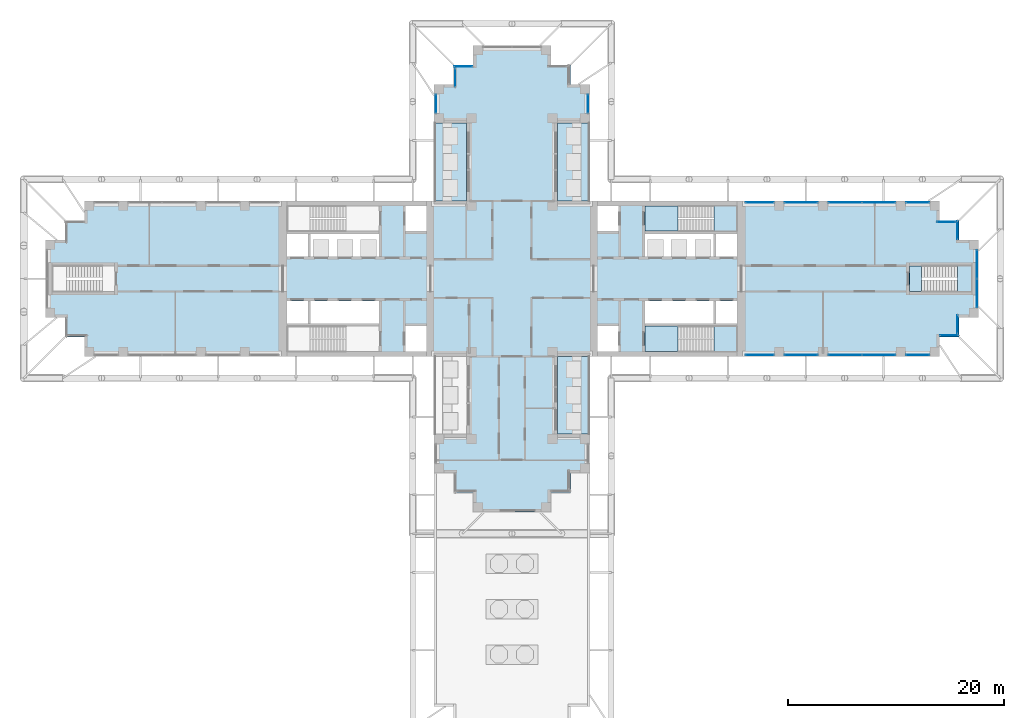
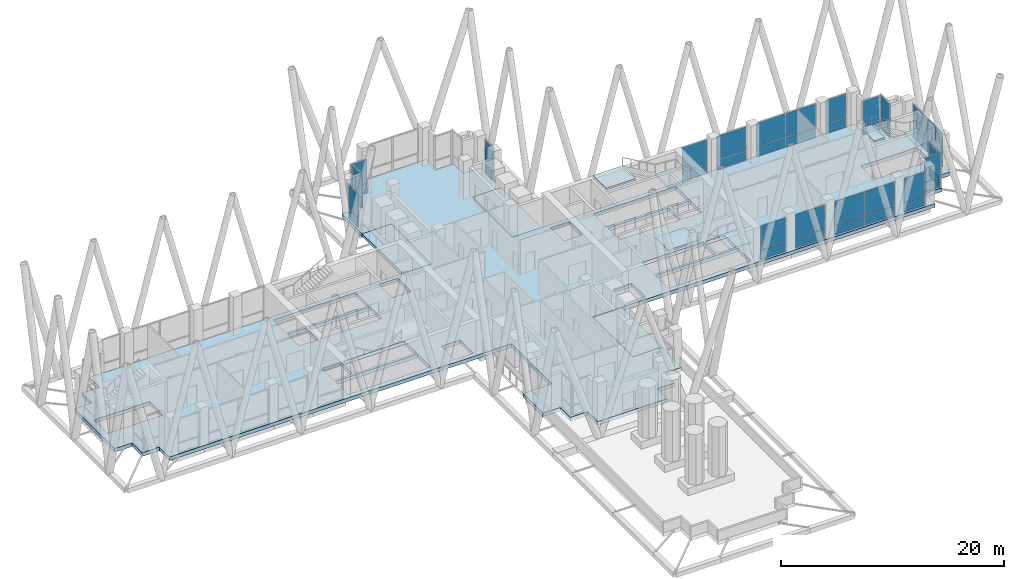
# One storey, part 12 of 22: 40 plates, 10 slabs, 20 elements without a shape of their own.
"""IFC4 building model written with IfcOpenShell, lengths in metres."""

from ifc_helpers import new_model, si_unit, direction, frame, origin, origin_2d, place, context, subcontext, project, spatial, polyline, rectangle, outline, extrude, material, layer, layer_set, type_object, element, aggregate, save


model = new_model("IFC4")

# Units and contexts
model_context = context("Model", 3, precision=1e-05, world=origin(), true_north=direction((0.0, 1.0)))
body_context = subcontext(model_context, "Body", "Model", "MODEL_VIEW")
ifc_project = project(units=[si_unit("LENGTHUNIT", "METRE"), si_unit("AREAUNIT", "SQUARE_METRE"), si_unit("VOLUMEUNIT", "CUBIC_METRE"), si_unit("PLANEANGLEUNIT", "RADIAN"), si_unit("MASSUNIT", "GRAM", prefix="KILO")], contexts=[model_context])

# Site, building, storey
site_placement = place(None, origin())
site = spatial("IfcSite", under=ifc_project, at=site_placement, CompositionType="ELEMENT")
building_placement = place(site_placement, origin())
building = spatial("IfcBuilding", under=site, at=building_placement, Name="Fustian Cross Tower", CompositionType="ELEMENT")
storey_placement = place(building_placement, frame((0.0, 0.0, 116.10009765625)))
storey = spatial("IfcBuildingStorey", under=building, at=storey_placement, Name="L36", CompositionType="ELEMENT", Elevation=116.10009765625)

# Slabs
ifc_material_1 = material(Name="Concrete C40/50", Category="concrete")
ifc_layer_1 = layer(ifc_material_1, 0.300048828125)
ifc_layer_set_1 = layer_set([ifc_layer_1], Name="Concrete C40/50")
slab_type_1 = type_object("IfcSlabType", Name="BS1 BALCONY SLAB 300", PredefinedType="FLOOR", material=ifc_layer_set_1)
slab_1_placement = place(storey_placement, frame((0.0, 0.0, -0.300048828125)))
element("IfcSlab", 1, at=slab_1_placement, inside=storey, type_object=slab_type_1, Name="Balcony slab", PredefinedType="FLOOR", context=body_context, shape_type="SweptSolid", body=[
    extrude(outline(polyline([(4.199951171875, 7.199951171875), (7.199951171875, 7.199951171875), (7.199951171875, 14.39990234375), (4.199951171875, 14.39990234375), (4.199951171875, 7.199951171875)])), origin(), (0.0, 0.0, 1.0), 0.300048828125),
])
slab_2_placement = place(storey_placement, frame((0.0, 0.0, -0.300048828125)))
element("IfcSlab", 2, at=slab_2_placement, inside=storey, type_object=slab_type_1, Name="Balcony slab", PredefinedType="FLOOR", context=body_context, shape_type="SweptSolid", body=[
    extrude(outline(polyline([(-7.199951171875, 7.199951171875), (-4.199951171875, 7.199951171875), (-4.199951171875, 14.39990234375), (-7.199951171875, 14.39990234375), (-7.199951171875, 7.199951171875)])), origin(), (0.0, 0.0, 1.0), 0.300048828125),
])
slab_3_placement = place(storey_placement, frame((0.0, 0.0, -0.300048828125)))
element("IfcSlab", 3, at=slab_3_placement, inside=storey, type_object=slab_type_1, Name="Balcony slab", PredefinedType="FLOOR", context=body_context, shape_type="SweptSolid", body=[
    extrude(outline(polyline([(4.199951171875, -14.39990234375), (7.199951171875, -14.39990234375), (7.199951171875, -7.199951171875), (4.199951171875, -7.199951171875), (4.199951171875, -14.39990234375)])), origin(), (0.0, 0.0, 1.0), 0.300048828125),
])

# Curtain wall, plates
ifc_material_2 = material(Name="Dark anodised aluminium and double glazing", Category="aluminium")
curtain_wall_type = type_object("IfcCurtainWallType", Name="CW1 LOUNGE CURTAIN WALL", PredefinedType="NOTDEFINED", material=ifc_material_2)
curtain_wall_1_placement = place(storey_placement, origin())
curtain_wall_1 = element("IfcCurtainWall", 4, at=curtain_wall_1_placement, inside=storey, type_object=curtain_wall_type, Name="Curtain wall", PredefinedType="NOTDEFINED")
ifc_material_3 = material(Name="Double glazed unit")
ifc_layer_2 = layer(ifc_material_3, 0.028076171875)
ifc_layer_set_2 = layer_set([ifc_layer_2], Name="Double glazed unit")
plate_type = type_object("IfcPlateType", Name="CW1 PANEL IGU 28", PredefinedType="CURTAIN_PANEL", material=ifc_layer_set_2)
plate_1_placement = place(storey_placement, frame((22.949951171875, -7.050048828125, 0.06005859375), z_axis=(0.0, 0.0, 1.0), x_axis=(1.0, 0.0, 0.0)))
plate_1 = element("IfcPlate", 5, at=plate_1_placement, type_object=plate_type, Name="CW1 panel 1.1", PredefinedType="CURTAIN_PANEL", context=body_context, shape_type="SweptSolid", body=[
    extrude(rectangle(XDim=2.580078125, YDim=0.028076171875, at=origin_2d()), origin(), (0.0, 0.0, 1.0), 1.010009765625),
])
plate_2_placement = place(storey_placement, frame((22.949951171875, -7.050048828125, 1.1298828125), z_axis=(0.0, 0.0, 1.0), x_axis=(1.0, 0.0, 0.0)))
plate_2 = element("IfcPlate", 6, at=plate_2_placement, type_object=plate_type, Name="CW1 panel 1.2", PredefinedType="CURTAIN_PANEL", context=body_context, shape_type="SweptSolid", body=[
    extrude(rectangle(XDim=2.580078125, YDim=0.028076171875, at=origin_2d()), origin(), (0.0, 0.0, 1.0), 2.610107421875),
])
aggregate(curtain_wall_1, [plate_1, plate_2])

curtain_wall_2_placement = place(storey_placement, origin())
curtain_wall_2 = element("IfcCurtainWall", 7, at=curtain_wall_2_placement, inside=storey, type_object=curtain_wall_type, Name="Curtain wall", PredefinedType="NOTDEFINED")
plate_3_placement = place(storey_placement, frame((26.77490234375, -7.050048828125, 0.06005859375), z_axis=(0.0, 0.0, 1.0), x_axis=(1.0, 0.0, 0.0)))
plate_3 = element("IfcPlate", 8, at=plate_3_placement, type_object=plate_type, Name="CW1 panel 1.1", PredefinedType="CURTAIN_PANEL", context=body_context, shape_type="SweptSolid", body=[
    extrude(rectangle(XDim=3.030029296875, YDim=0.028076171875, at=origin_2d()), origin(), (0.0, 0.0, 1.0), 1.010009765625),
])
plate_4_placement = place(storey_placement, frame((26.77490234375, -7.050048828125, 1.1298828125), z_axis=(0.0, 0.0, 1.0), x_axis=(1.0, 0.0, 0.0)))
plate_4 = element("IfcPlate", 9, at=plate_4_placement, type_object=plate_type, Name="CW1 panel 1.2", PredefinedType="CURTAIN_PANEL", context=body_context, shape_type="SweptSolid", body=[
    extrude(rectangle(XDim=3.030029296875, YDim=0.028076171875, at=origin_2d()), origin(), (0.0, 0.0, 1.0), 2.610107421875),
])
aggregate(curtain_wall_2, [plate_3, plate_4])

curtain_wall_3_placement = place(storey_placement, origin())
curtain_wall_3 = element("IfcCurtainWall", 10, at=curtain_wall_3_placement, inside=storey, type_object=curtain_wall_type, Name="Curtain wall", PredefinedType="NOTDEFINED")
plate_5_placement = place(storey_placement, frame((30.840087890625, -7.050048828125, 0.06005859375), z_axis=(0.0, 0.0, 1.0), x_axis=(1.0, 0.0, 0.0)))
plate_5 = element("IfcPlate", 11, at=plate_5_placement, type_object=plate_type, Name="CW1 panel 1.1", PredefinedType="CURTAIN_PANEL", context=body_context, shape_type="SweptSolid", body=[
    extrude(rectangle(XDim=3.06005859375, YDim=0.028076171875, at=origin_2d()), origin(), (0.0, 0.0, 1.0), 1.010009765625),
])
plate_6_placement = place(storey_placement, frame((30.840087890625, -7.050048828125, 1.1298828125), z_axis=(0.0, 0.0, 1.0), x_axis=(1.0, 0.0, 0.0)))
plate_6 = element("IfcPlate", 12, at=plate_6_placement, type_object=plate_type, Name="CW1 panel 1.2", PredefinedType="CURTAIN_PANEL", context=body_context, shape_type="SweptSolid", body=[
    extrude(rectangle(XDim=3.06005859375, YDim=0.028076171875, at=origin_2d()), origin(), (0.0, 0.0, 1.0), 2.610107421875),
])
plate_7_placement = place(storey_placement, frame((33.9599609375, -7.050048828125, 0.06005859375), z_axis=(0.0, 0.0, 1.0), x_axis=(1.0, 0.0, 0.0)))
plate_7 = element("IfcPlate", 13, at=plate_7_placement, type_object=plate_type, Name="CW1 panel 2.1", PredefinedType="CURTAIN_PANEL", context=body_context, shape_type="SweptSolid", body=[
    extrude(rectangle(XDim=3.06005859375, YDim=0.028076171875, at=origin_2d()), origin(), (0.0, 0.0, 1.0), 1.010009765625),
])
plate_8_placement = place(storey_placement, frame((33.9599609375, -7.050048828125, 1.1298828125), z_axis=(0.0, 0.0, 1.0), x_axis=(1.0, 0.0, 0.0)))
plate_8 = element("IfcPlate", 14, at=plate_8_placement, type_object=plate_type, Name="CW1 panel 2.2", PredefinedType="CURTAIN_PANEL", context=body_context, shape_type="SweptSolid", body=[
    extrude(rectangle(XDim=3.06005859375, YDim=0.028076171875, at=origin_2d()), origin(), (0.0, 0.0, 1.0), 2.610107421875),
])
aggregate(curtain_wall_3, [plate_5, plate_6, plate_7, plate_8])

curtain_wall_4_placement = place(storey_placement, origin())
curtain_wall_4 = element("IfcCurtainWall", 15, at=curtain_wall_4_placement, inside=storey, type_object=curtain_wall_type, Name="Curtain wall", PredefinedType="NOTDEFINED")
plate_9_placement = place(storey_placement, frame((37.574951171875, -7.050048828125, 0.06005859375), z_axis=(0.0, 0.0, 1.0), x_axis=(1.0, 0.0, 0.0)))
plate_9 = element("IfcPlate", 16, at=plate_9_placement, type_object=plate_type, Name="CW1 panel 1.1", PredefinedType="CURTAIN_PANEL", context=body_context, shape_type="SweptSolid", body=[
    extrude(rectangle(XDim=2.1298828125, YDim=0.028076171875, at=origin_2d()), origin(), (0.0, 0.0, 1.0), 1.010009765625),
])
plate_10_placement = place(storey_placement, frame((37.574951171875, -7.050048828125, 1.1298828125), z_axis=(0.0, 0.0, 1.0), x_axis=(1.0, 0.0, 0.0)))
plate_10 = element("IfcPlate", 17, at=plate_10_placement, type_object=plate_type, Name="CW1 panel 1.2", PredefinedType="CURTAIN_PANEL", context=body_context, shape_type="SweptSolid", body=[
    extrude(rectangle(XDim=2.1298828125, YDim=0.028076171875, at=origin_2d()), origin(), (0.0, 0.0, 1.0), 2.610107421875),
])
aggregate(curtain_wall_4, [plate_9, plate_10])

curtain_wall_5_placement = place(storey_placement, origin())
curtain_wall_5 = element("IfcCurtainWall", 18, at=curtain_wall_5_placement, inside=storey, type_object=curtain_wall_type, Name="Curtain wall", PredefinedType="NOTDEFINED")
plate_11_placement = place(storey_placement, frame((40.5, -5.25, 0.06005859375), z_axis=(0.0, 0.0, 1.0), x_axis=(1.0, 0.0, 0.0)))
plate_11 = element("IfcPlate", 19, at=plate_11_placement, type_object=plate_type, Name="CW1 panel 1.1", PredefinedType="CURTAIN_PANEL", context=body_context, shape_type="SweptSolid", body=[
    extrude(rectangle(XDim=1.679931640625, YDim=0.028076171875, at=origin_2d()), origin(), (0.0, 0.0, 1.0), 1.010009765625),
])
plate_12_placement = place(storey_placement, frame((40.5, -5.25, 1.1298828125), z_axis=(0.0, 0.0, 1.0), x_axis=(1.0, 0.0, 0.0)))
plate_12 = element("IfcPlate", 20, at=plate_12_placement, type_object=plate_type, Name="CW1 panel 1.2", PredefinedType="CURTAIN_PANEL", context=body_context, shape_type="SweptSolid", body=[
    extrude(rectangle(XDim=1.679931640625, YDim=0.028076171875, at=origin_2d()), origin(), (0.0, 0.0, 1.0), 2.610107421875),
])
aggregate(curtain_wall_5, [plate_11, plate_12])

curtain_wall_6_placement = place(storey_placement, origin())
curtain_wall_6 = element("IfcCurtainWall", 21, at=curtain_wall_6_placement, inside=storey, type_object=curtain_wall_type, Name="Curtain wall", PredefinedType="NOTDEFINED")
plate_13_placement = place(storey_placement, frame((41.25, -4.199951171875, 0.06005859375), z_axis=(0.0, 0.0, 1.0), x_axis=(0.0, 1.0, 0.0)))
plate_13 = element("IfcPlate", 22, at=plate_13_placement, type_object=plate_type, Name="CW1 panel 1.1", PredefinedType="CURTAIN_PANEL", context=body_context, shape_type="SweptSolid", body=[
    extrude(rectangle(XDim=1.679931640625, YDim=0.028076171875, at=origin_2d()), origin(), (0.0, 0.0, 1.0), 1.010009765625),
])
plate_14_placement = place(storey_placement, frame((41.25, -4.199951171875, 1.1298828125), z_axis=(0.0, 0.0, 1.0), x_axis=(0.0, 1.0, 0.0)))
plate_14 = element("IfcPlate", 23, at=plate_14_placement, type_object=plate_type, Name="CW1 panel 1.2", PredefinedType="CURTAIN_PANEL", context=body_context, shape_type="SweptSolid", body=[
    extrude(rectangle(XDim=1.679931640625, YDim=0.028076171875, at=origin_2d()), origin(), (0.0, 0.0, 1.0), 2.610107421875),
])
aggregate(curtain_wall_6, [plate_13, plate_14])

curtain_wall_7_placement = place(storey_placement, origin())
curtain_wall_7 = element("IfcCurtainWall", 24, at=curtain_wall_7_placement, inside=storey, type_object=curtain_wall_type, Name="Curtain wall", PredefinedType="NOTDEFINED")
plate_15_placement = place(storey_placement, frame((43.050048828125, -1.3349609375, 0.06005859375), z_axis=(0.0, 0.0, 1.0), x_axis=(0.0, 1.0, 0.0)))
plate_15 = element("IfcPlate", 25, at=plate_15_placement, type_object=plate_type, Name="CW1 panel 1.1", PredefinedType="CURTAIN_PANEL", context=body_context, shape_type="SweptSolid", body=[
    extrude(rectangle(XDim=2.610107421875, YDim=0.028076171875, at=origin_2d()), origin(), (0.0, 0.0, 1.0), 1.010009765625),
])
plate_16_placement = place(storey_placement, frame((43.050048828125, -1.3349609375, 1.1298828125), z_axis=(0.0, 0.0, 1.0), x_axis=(0.0, 1.0, 0.0)))
plate_16 = element("IfcPlate", 26, at=plate_16_placement, type_object=plate_type, Name="CW1 panel 1.2", PredefinedType="CURTAIN_PANEL", context=body_context, shape_type="SweptSolid", body=[
    extrude(rectangle(XDim=2.610107421875, YDim=0.028076171875, at=origin_2d()), origin(), (0.0, 0.0, 1.0), 2.610107421875),
])
plate_17_placement = place(storey_placement, frame((43.050048828125, 1.3349609375, 0.06005859375), z_axis=(0.0, 0.0, 1.0), x_axis=(0.0, 1.0, 0.0)))
plate_17 = element("IfcPlate", 27, at=plate_17_placement, type_object=plate_type, Name="CW1 panel 2.1", PredefinedType="CURTAIN_PANEL", context=body_context, shape_type="SweptSolid", body=[
    extrude(rectangle(XDim=2.610107421875, YDim=0.028076171875, at=origin_2d()), origin(), (0.0, 0.0, 1.0), 1.010009765625),
])
plate_18_placement = place(storey_placement, frame((43.050048828125, 1.3349609375, 1.1298828125), z_axis=(0.0, 0.0, 1.0), x_axis=(0.0, 1.0, 0.0)))
plate_18 = element("IfcPlate", 28, at=plate_18_placement, type_object=plate_type, Name="CW1 panel 2.2", PredefinedType="CURTAIN_PANEL", context=body_context, shape_type="SweptSolid", body=[
    extrude(rectangle(XDim=2.610107421875, YDim=0.028076171875, at=origin_2d()), origin(), (0.0, 0.0, 1.0), 2.610107421875),
])
aggregate(curtain_wall_7, [plate_15, plate_16, plate_17, plate_18])

curtain_wall_8_placement = place(storey_placement, origin())
curtain_wall_8 = element("IfcCurtainWall", 29, at=curtain_wall_8_placement, inside=storey, type_object=curtain_wall_type, Name="Curtain wall", PredefinedType="NOTDEFINED")
plate_19_placement = place(storey_placement, frame((41.25, 4.5, 0.06005859375), z_axis=(0.0, 0.0, 1.0), x_axis=(0.0, 1.0, 0.0)))
plate_19 = element("IfcPlate", 30, at=plate_19_placement, type_object=plate_type, Name="CW1 panel 1.1", PredefinedType="CURTAIN_PANEL", context=body_context, shape_type="SweptSolid", body=[
    extrude(rectangle(XDim=1.679931640625, YDim=0.028076171875, at=origin_2d()), origin(), (0.0, 0.0, 1.0), 1.010009765625),
])
plate_20_placement = place(storey_placement, frame((41.25, 4.5, 1.1298828125), z_axis=(0.0, 0.0, 1.0), x_axis=(0.0, 1.0, 0.0)))
plate_20 = element("IfcPlate", 31, at=plate_20_placement, type_object=plate_type, Name="CW1 panel 1.2", PredefinedType="CURTAIN_PANEL", context=body_context, shape_type="SweptSolid", body=[
    extrude(rectangle(XDim=1.679931640625, YDim=0.028076171875, at=origin_2d()), origin(), (0.0, 0.0, 1.0), 2.610107421875),
])
aggregate(curtain_wall_8, [plate_19, plate_20])

curtain_wall_9_placement = place(storey_placement, origin())
curtain_wall_9 = element("IfcCurtainWall", 32, at=curtain_wall_9_placement, inside=storey, type_object=curtain_wall_type, Name="Curtain wall", PredefinedType="NOTDEFINED")
plate_21_placement = place(storey_placement, frame((40.199951171875, 5.25, 0.06005859375), z_axis=(0.0, 0.0, 1.0), x_axis=(-1.0, 0.0, 0.0)))
plate_21 = element("IfcPlate", 33, at=plate_21_placement, type_object=plate_type, Name="CW1 panel 1.1", PredefinedType="CURTAIN_PANEL", context=body_context, shape_type="SweptSolid", body=[
    extrude(rectangle(XDim=1.679931640625, YDim=0.028076171875, at=origin_2d()), origin(), (0.0, 0.0, 1.0), 1.010009765625),
])
plate_22_placement = place(storey_placement, frame((40.199951171875, 5.25, 1.1298828125), z_axis=(0.0, 0.0, 1.0), x_axis=(-1.0, 0.0, 0.0)))
plate_22 = element("IfcPlate", 34, at=plate_22_placement, type_object=plate_type, Name="CW1 panel 1.2", PredefinedType="CURTAIN_PANEL", context=body_context, shape_type="SweptSolid", body=[
    extrude(rectangle(XDim=1.679931640625, YDim=0.028076171875, at=origin_2d()), origin(), (0.0, 0.0, 1.0), 2.610107421875),
])
aggregate(curtain_wall_9, [plate_21, plate_22])

curtain_wall_10_placement = place(storey_placement, origin())
curtain_wall_10 = element("IfcCurtainWall", 35, at=curtain_wall_10_placement, inside=storey, type_object=curtain_wall_type, Name="Curtain wall", PredefinedType="NOTDEFINED")
plate_23_placement = place(storey_placement, frame((37.574951171875, 7.050048828125, 0.06005859375), z_axis=(0.0, 0.0, 1.0), x_axis=(-1.0, 0.0, 0.0)))
plate_23 = element("IfcPlate", 36, at=plate_23_placement, type_object=plate_type, Name="CW1 panel 1.1", PredefinedType="CURTAIN_PANEL", context=body_context, shape_type="SweptSolid", body=[
    extrude(rectangle(XDim=2.1298828125, YDim=0.028076171875, at=origin_2d()), origin(), (0.0, 0.0, 1.0), 1.010009765625),
])
plate_24_placement = place(storey_placement, frame((37.574951171875, 7.050048828125, 1.1298828125), z_axis=(0.0, 0.0, 1.0), x_axis=(-1.0, 0.0, 0.0)))
plate_24 = element("IfcPlate", 37, at=plate_24_placement, type_object=plate_type, Name="CW1 panel 1.2", PredefinedType="CURTAIN_PANEL", context=body_context, shape_type="SweptSolid", body=[
    extrude(rectangle(XDim=2.1298828125, YDim=0.028076171875, at=origin_2d()), origin(), (0.0, 0.0, 1.0), 2.610107421875),
])
aggregate(curtain_wall_10, [plate_23, plate_24])

curtain_wall_11_placement = place(storey_placement, origin())
curtain_wall_11 = element("IfcCurtainWall", 38, at=curtain_wall_11_placement, inside=storey, type_object=curtain_wall_type, Name="Curtain wall", PredefinedType="NOTDEFINED")
plate_25_placement = place(storey_placement, frame((33.9599609375, 7.050048828125, 0.06005859375), z_axis=(0.0, 0.0, 1.0), x_axis=(-1.0, 0.0, 0.0)))
plate_25 = element("IfcPlate", 39, at=plate_25_placement, type_object=plate_type, Name="CW1 panel 1.1", PredefinedType="CURTAIN_PANEL", context=body_context, shape_type="SweptSolid", body=[
    extrude(rectangle(XDim=3.06005859375, YDim=0.028076171875, at=origin_2d()), origin(), (0.0, 0.0, 1.0), 1.010009765625),
])
plate_26_placement = place(storey_placement, frame((33.9599609375, 7.050048828125, 1.1298828125), z_axis=(0.0, 0.0, 1.0), x_axis=(-1.0, 0.0, 0.0)))
plate_26 = element("IfcPlate", 40, at=plate_26_placement, type_object=plate_type, Name="CW1 panel 1.2", PredefinedType="CURTAIN_PANEL", context=body_context, shape_type="SweptSolid", body=[
    extrude(rectangle(XDim=3.06005859375, YDim=0.028076171875, at=origin_2d()), origin(), (0.0, 0.0, 1.0), 2.610107421875),
])
plate_27_placement = place(storey_placement, frame((30.840087890625, 7.050048828125, 0.06005859375), z_axis=(0.0, 0.0, 1.0), x_axis=(-1.0, 0.0, 0.0)))
plate_27 = element("IfcPlate", 41, at=plate_27_placement, type_object=plate_type, Name="CW1 panel 2.1", PredefinedType="CURTAIN_PANEL", context=body_context, shape_type="SweptSolid", body=[
    extrude(rectangle(XDim=3.06005859375, YDim=0.028076171875, at=origin_2d()), origin(), (0.0, 0.0, 1.0), 1.010009765625),
])
plate_28_placement = place(storey_placement, frame((30.840087890625, 7.050048828125, 1.1298828125), z_axis=(0.0, 0.0, 1.0), x_axis=(-1.0, 0.0, 0.0)))
plate_28 = element("IfcPlate", 42, at=plate_28_placement, type_object=plate_type, Name="CW1 panel 2.2", PredefinedType="CURTAIN_PANEL", context=body_context, shape_type="SweptSolid", body=[
    extrude(rectangle(XDim=3.06005859375, YDim=0.028076171875, at=origin_2d()), origin(), (0.0, 0.0, 1.0), 2.610107421875),
])
aggregate(curtain_wall_11, [plate_25, plate_26, plate_27, plate_28])

curtain_wall_12_placement = place(storey_placement, origin())
curtain_wall_12 = element("IfcCurtainWall", 43, at=curtain_wall_12_placement, inside=storey, type_object=curtain_wall_type, Name="Curtain wall", PredefinedType="NOTDEFINED")
plate_29_placement = place(storey_placement, frame((26.77490234375, 7.050048828125, 0.06005859375), z_axis=(0.0, 0.0, 1.0), x_axis=(-1.0, 0.0, 0.0)))
plate_29 = element("IfcPlate", 44, at=plate_29_placement, type_object=plate_type, Name="CW1 panel 1.1", PredefinedType="CURTAIN_PANEL", context=body_context, shape_type="SweptSolid", body=[
    extrude(rectangle(XDim=3.030029296875, YDim=0.028076171875, at=origin_2d()), origin(), (0.0, 0.0, 1.0), 1.010009765625),
])
plate_30_placement = place(storey_placement, frame((26.77490234375, 7.050048828125, 1.1298828125), z_axis=(0.0, 0.0, 1.0), x_axis=(-1.0, 0.0, 0.0)))
plate_30 = element("IfcPlate", 45, at=plate_30_placement, type_object=plate_type, Name="CW1 panel 1.2", PredefinedType="CURTAIN_PANEL", context=body_context, shape_type="SweptSolid", body=[
    extrude(rectangle(XDim=3.030029296875, YDim=0.028076171875, at=origin_2d()), origin(), (0.0, 0.0, 1.0), 2.610107421875),
])
aggregate(curtain_wall_12, [plate_29, plate_30])

curtain_wall_13_placement = place(storey_placement, origin())
curtain_wall_13 = element("IfcCurtainWall", 46, at=curtain_wall_13_placement, inside=storey, type_object=curtain_wall_type, Name="Curtain wall", PredefinedType="NOTDEFINED")
plate_31_placement = place(storey_placement, frame((22.949951171875, 7.050048828125, 0.06005859375), z_axis=(0.0, 0.0, 1.0), x_axis=(-1.0, 0.0, 0.0)))
plate_31 = element("IfcPlate", 47, at=plate_31_placement, type_object=plate_type, Name="CW1 panel 1.1", PredefinedType="CURTAIN_PANEL", context=body_context, shape_type="SweptSolid", body=[
    extrude(rectangle(XDim=2.580078125, YDim=0.028076171875, at=origin_2d()), origin(), (0.0, 0.0, 1.0), 1.010009765625),
])
plate_32_placement = place(storey_placement, frame((22.949951171875, 7.050048828125, 1.1298828125), z_axis=(0.0, 0.0, 1.0), x_axis=(-1.0, 0.0, 0.0)))
plate_32 = element("IfcPlate", 48, at=plate_32_placement, type_object=plate_type, Name="CW1 panel 1.2", PredefinedType="CURTAIN_PANEL", context=body_context, shape_type="SweptSolid", body=[
    extrude(rectangle(XDim=2.580078125, YDim=0.028076171875, at=origin_2d()), origin(), (0.0, 0.0, 1.0), 2.610107421875),
])
aggregate(curtain_wall_13, [plate_31, plate_32])

curtain_wall_14_placement = place(storey_placement, origin())
curtain_wall_14 = element("IfcCurtainWall", 49, at=curtain_wall_14_placement, inside=storey, type_object=curtain_wall_type, Name="Curtain wall", PredefinedType="NOTDEFINED")
plate_33_placement = place(storey_placement, frame((7.050048828125, 16.199951171875, 0.06005859375), z_axis=(0.0, 0.0, 1.0), x_axis=(0.0, 1.0, 0.0)))
plate_33 = element("IfcPlate", 50, at=plate_33_placement, type_object=plate_type, Name="CW1 panel 1.1", PredefinedType="CURTAIN_PANEL", context=body_context, shape_type="SweptSolid", body=[
    extrude(rectangle(XDim=1.679931640625, YDim=0.028076171875, at=origin_2d()), origin(), (0.0, 0.0, 1.0), 1.010009765625),
])
plate_34_placement = place(storey_placement, frame((7.050048828125, 16.199951171875, 1.1298828125), z_axis=(0.0, 0.0, 1.0), x_axis=(0.0, 1.0, 0.0)))
plate_34 = element("IfcPlate", 51, at=plate_34_placement, type_object=plate_type, Name="CW1 panel 1.2", PredefinedType="CURTAIN_PANEL", context=body_context, shape_type="SweptSolid", body=[
    extrude(rectangle(XDim=1.679931640625, YDim=0.028076171875, at=origin_2d()), origin(), (0.0, 0.0, 1.0), 2.610107421875),
])
aggregate(curtain_wall_14, [plate_33, plate_34])

curtain_wall_15_placement = place(storey_placement, origin())
curtain_wall_15 = element("IfcCurtainWall", 52, at=curtain_wall_15_placement, inside=storey, type_object=curtain_wall_type, Name="Curtain wall", PredefinedType="NOTDEFINED")
plate_35_placement = place(storey_placement, frame((-4.5, 19.64990234375, 0.06005859375), z_axis=(0.0, 0.0, 1.0), x_axis=(-1.0, 0.0, 0.0)))
plate_35 = element("IfcPlate", 53, at=plate_35_placement, type_object=plate_type, Name="CW1 panel 1.1", PredefinedType="CURTAIN_PANEL", context=body_context, shape_type="SweptSolid", body=[
    extrude(rectangle(XDim=1.679931640625, YDim=0.028076171875, at=origin_2d()), origin(), (0.0, 0.0, 1.0), 1.010009765625),
])
plate_36_placement = place(storey_placement, frame((-4.5, 19.64990234375, 1.1298828125), z_axis=(0.0, 0.0, 1.0), x_axis=(-1.0, 0.0, 0.0)))
plate_36 = element("IfcPlate", 54, at=plate_36_placement, type_object=plate_type, Name="CW1 panel 1.2", PredefinedType="CURTAIN_PANEL", context=body_context, shape_type="SweptSolid", body=[
    extrude(rectangle(XDim=1.679931640625, YDim=0.028076171875, at=origin_2d()), origin(), (0.0, 0.0, 1.0), 2.610107421875),
])
aggregate(curtain_wall_15, [plate_35, plate_36])

curtain_wall_16_placement = place(storey_placement, origin())
curtain_wall_16 = element("IfcCurtainWall", 55, at=curtain_wall_16_placement, inside=storey, type_object=curtain_wall_type, Name="Curtain wall", PredefinedType="NOTDEFINED")
plate_37_placement = place(storey_placement, frame((-5.25, 18.60009765625, 0.06005859375), z_axis=(0.0, 0.0, 1.0), x_axis=(0.0, -1.0, 0.0)))
plate_37 = element("IfcPlate", 56, at=plate_37_placement, type_object=plate_type, Name="CW1 panel 1.1", PredefinedType="CURTAIN_PANEL", context=body_context, shape_type="SweptSolid", body=[
    extrude(rectangle(XDim=1.679931640625, YDim=0.028076171875, at=origin_2d()), origin(), (0.0, 0.0, 1.0), 1.010009765625),
])
plate_38_placement = place(storey_placement, frame((-5.25, 18.60009765625, 1.1298828125), z_axis=(0.0, 0.0, 1.0), x_axis=(0.0, -1.0, 0.0)))
plate_38 = element("IfcPlate", 57, at=plate_38_placement, type_object=plate_type, Name="CW1 panel 1.2", PredefinedType="CURTAIN_PANEL", context=body_context, shape_type="SweptSolid", body=[
    extrude(rectangle(XDim=1.679931640625, YDim=0.028076171875, at=origin_2d()), origin(), (0.0, 0.0, 1.0), 2.610107421875),
])
aggregate(curtain_wall_16, [plate_37, plate_38])

curtain_wall_17_placement = place(storey_placement, origin())
curtain_wall_17 = element("IfcCurtainWall", 58, at=curtain_wall_17_placement, inside=storey, type_object=curtain_wall_type, Name="Curtain wall", PredefinedType="NOTDEFINED")
plate_39_placement = place(storey_placement, frame((-7.050048828125, 16.199951171875, 0.06005859375), z_axis=(0.0, 0.0, 1.0), x_axis=(0.0, -1.0, 0.0)))
plate_39 = element("IfcPlate", 59, at=plate_39_placement, type_object=plate_type, Name="CW1 panel 1.1", PredefinedType="CURTAIN_PANEL", context=body_context, shape_type="SweptSolid", body=[
    extrude(rectangle(XDim=1.679931640625, YDim=0.028076171875, at=origin_2d()), origin(), (0.0, 0.0, 1.0), 1.010009765625),
])
plate_40_placement = place(storey_placement, frame((-7.050048828125, 16.199951171875, 1.1298828125), z_axis=(0.0, 0.0, 1.0), x_axis=(0.0, -1.0, 0.0)))
plate_40 = element("IfcPlate", 60, at=plate_40_placement, type_object=plate_type, Name="CW1 panel 1.2", PredefinedType="CURTAIN_PANEL", context=body_context, shape_type="SweptSolid", body=[
    extrude(rectangle(XDim=1.679931640625, YDim=0.028076171875, at=origin_2d()), origin(), (0.0, 0.0, 1.0), 2.610107421875),
])
aggregate(curtain_wall_17, [plate_39, plate_40])

# Slab
ifc_material_4 = material(Name="Concrete C40/50", Category="concrete")
ifc_layer_3 = layer(ifc_material_4, 0.39990234375)
ifc_layer_set_3 = layer_set([ifc_layer_3], Name="Concrete C40/50")
slab_type_2 = type_object("IfcSlabType", Name="FLAT SLAB 400", PredefinedType="FLOOR", material=ifc_layer_set_3)
slab_4_placement = place(storey_placement, frame((0.0, 0.0, -0.400146484375)))
element("IfcSlab", 61, at=slab_4_placement, inside=storey, type_object=slab_type_2, Name="FLOOR SLAB L36-1", PredefinedType="FLOOR", context=body_context, shape_type="SweptSolid", body=[
    extrude(outline(polyline([(-4.199951171875, -7.199951171875), (-39.60009765625, -7.199951171875), (-39.60009765625, -5.39990234375), (-41.39990234375, -5.39990234375), (-41.39990234375, -3.60009765625), (-43.199951171875, -3.60009765625), (-43.199951171875, 3.60009765625), (-41.39990234375, 3.60009765625), (-41.39990234375, 5.39990234375), (-39.60009765625, 5.39990234375), (-39.60009765625, 7.199951171875), (-4.199951171875, 7.199951171875), (-4.199951171875, 14.39990234375), (-7.199951171875, 14.39990234375), (-7.199951171875, 18.0), (-5.39990234375, 18.0), (-5.39990234375, 19.800048828125), (-3.60009765625, 19.800048828125), (-3.60009765625, 21.60009765625), (3.60009765625, 21.60009765625), (3.60009765625, 19.800048828125), (5.39990234375, 19.800048828125), (5.39990234375, 18.0), (7.199951171875, 18.0), (7.199951171875, 14.39990234375), (4.199951171875, 14.39990234375), (4.199951171875, 7.199951171875), (39.60009765625, 7.199951171875), (39.60009765625, 5.39990234375), (41.39990234375, 5.39990234375), (41.39990234375, 3.60009765625), (43.199951171875, 3.60009765625), (43.199951171875, -3.60009765625), (41.39990234375, -3.60009765625), (41.39990234375, -5.39990234375), (39.60009765625, -5.39990234375), (39.60009765625, -7.199951171875), (4.199951171875, -7.199951171875), (4.199951171875, -14.39990234375), (7.199951171875, -14.39990234375), (7.199951171875, -18.0), (5.39990234375, -18.0), (5.39990234375, -19.800048828125), (3.60009765625, -19.800048828125), (3.60009765625, -21.60009765625), (-3.60009765625, -21.60009765625), (-3.60009765625, -19.800048828125), (-5.39990234375, -19.800048828125), (-5.39990234375, -18.0), (-7.199951171875, -18.0), (-7.199951171875, -14.39990234375), (-4.199951171875, -14.39990234375), (-4.199951171875, -7.199951171875)]), holes=[polyline([(18.89990234375, -2.050048828125), (18.89990234375, -4.14990234375), (20.85009765625, -4.14990234375), (20.85009765625, -2.050048828125), (18.89990234375, -2.050048828125)]), polyline([(20.85009765625, 4.14990234375), (18.89990234375, 4.14990234375), (18.89990234375, 2.050048828125), (20.85009765625, 2.050048828125), (20.85009765625, 4.14990234375)]), polyline([(9.85009765625, 4.39990234375), (9.85009765625, 6.75), (7.89990234375, 6.75), (7.89990234375, 4.39990234375), (9.85009765625, 4.39990234375)]), polyline([(7.89990234375, -6.75), (9.85009765625, -6.75), (9.85009765625, -4.39990234375), (7.89990234375, -4.39990234375), (7.89990234375, -6.75)]), polyline([(-20.85009765625, -2.050048828125), (-20.85009765625, -4.14990234375), (-18.89990234375, -4.14990234375), (-18.89990234375, -2.050048828125), (-20.85009765625, -2.050048828125)]), polyline([(-18.89990234375, 4.14990234375), (-20.85009765625, 4.14990234375), (-20.85009765625, 2.050048828125), (-18.89990234375, 2.050048828125), (-18.89990234375, 4.14990234375)]), polyline([(-7.89990234375, 4.39990234375), (-7.89990234375, 6.75), (-9.85009765625, 6.75), (-9.85009765625, 4.39990234375), (-7.89990234375, 4.39990234375)]), polyline([(-9.85009765625, -6.75), (-7.89990234375, -6.75), (-7.89990234375, -4.39990234375), (-9.85009765625, -4.39990234375), (-9.85009765625, -6.75)]), polyline([(12.300048828125, -2.050048828125), (12.300048828125, -4.14990234375), (18.64990234375, -4.14990234375), (18.64990234375, -2.050048828125), (12.300048828125, -2.050048828125)]), polyline([(18.64990234375, 4.14990234375), (12.300048828125, 4.14990234375), (12.300048828125, 2.050048828125), (18.64990234375, 2.050048828125), (18.64990234375, 4.14990234375)]), polyline([(-12.300048828125, -4.14990234375), (-12.300048828125, -2.050048828125), (-18.64990234375, -2.050048828125), (-18.64990234375, -4.14990234375), (-12.300048828125, -4.14990234375)]), polyline([(-18.64990234375, 2.050048828125), (-12.300048828125, 2.050048828125), (-12.300048828125, 4.14990234375), (-18.64990234375, 4.14990234375), (-18.64990234375, 2.050048828125)]), polyline([(12.300048828125, 6.699951171875), (12.300048828125, 4.39990234375), (20.85009765625, 4.39990234375), (20.85009765625, 6.699951171875), (12.300048828125, 6.699951171875)]), polyline([(20.85009765625, -4.39990234375), (12.300048828125, -4.39990234375), (12.300048828125, -6.699951171875), (20.85009765625, -6.699951171875), (20.85009765625, -4.39990234375)]), polyline([(-12.300048828125, 4.39990234375), (-12.300048828125, 6.699951171875), (-20.85009765625, 6.699951171875), (-20.85009765625, 4.39990234375), (-12.300048828125, 4.39990234375)]), polyline([(-20.85009765625, -6.699951171875), (-12.300048828125, -6.699951171875), (-12.300048828125, -4.39990234375), (-20.85009765625, -4.39990234375), (-20.85009765625, -6.699951171875)]), polyline([(36.800048828125, 1.199951171875), (36.800048828125, -1.199951171875), (42.60009765625, -1.199951171875), (42.60009765625, 1.199951171875), (36.800048828125, 1.199951171875)]), polyline([(-36.800048828125, 1.199951171875), (-42.60009765625, 1.199951171875), (-42.60009765625, -1.199951171875), (-36.800048828125, -1.199951171875), (-36.800048828125, 1.199951171875)])]), origin(), (0.0, 0.0, 1.0), 0.400146484375),
])

# Stair, slabs
ifc_material_5 = material(Name="Concrete C50/60", Category="concrete")
stair_type_1 = type_object("IfcStairType", Name="STAIR 1150 HALF TURN", PredefinedType="HALF_TURN_STAIR", material=ifc_material_5)
stair_1_placement = place(storey_placement, origin())
stair_1 = element("IfcStair", 62, at=stair_1_placement, inside=storey, type_object=stair_type_1, Name="Stair ST1", PredefinedType="HALF_TURN_STAIR")
ifc_material_6 = material(Name="Concrete C50/60", Category="concrete")
ifc_layer_4 = layer(ifc_material_6, 0.199951171875)
ifc_layer_set_4 = layer_set([ifc_layer_4], Name="Concrete C50/60")
slab_type_3 = type_object("IfcSlabType", Name="STAIR LANDING", PredefinedType="LANDING", material=ifc_layer_set_4)
slab_5_placement = place(storey_placement, frame((0.0, 0.0, 1.89990234375)))
slab_5 = element("IfcSlab", 63, at=slab_5_placement, type_object=slab_type_3, Name="ST1 landing 1", PredefinedType="LANDING", context=body_context, shape_type="SweptSolid", body=[
    extrude(outline(polyline([(18.7099609375, 4.39990234375), (20.85009765625, 4.39990234375), (20.85009765625, 6.75), (18.7099609375, 6.75), (18.7099609375, 4.39990234375)])), origin(), (0.0, 0.0, 1.0), 0.199951171875),
])
slab_6_placement = place(storey_placement, frame((0.0, 0.0, 4.0)))
slab_6 = element("IfcSlab", 64, at=slab_6_placement, type_object=slab_type_3, Name="ST1 landing 2", PredefinedType="LANDING", context=body_context, shape_type="SweptSolid", body=[
    extrude(outline(polyline([(12.300048828125, 4.39990234375), (15.35009765625, 4.39990234375), (15.35009765625, 6.75), (12.300048828125, 6.75), (12.300048828125, 4.39990234375)])), origin(), (0.0, 0.0, 1.0), 0.199951171875),
])
aggregate(stair_1, [slab_5, slab_6])

stair_2_placement = place(storey_placement, origin())
stair_2 = element("IfcStair", 65, at=stair_2_placement, inside=storey, type_object=stair_type_1, Name="Stair ST2", PredefinedType="HALF_TURN_STAIR")
slab_7_placement = place(storey_placement, frame((0.0, 0.0, 1.89990234375)))
slab_7 = element("IfcSlab", 66, at=slab_7_placement, type_object=slab_type_3, Name="ST2 landing 1", PredefinedType="LANDING", context=body_context, shape_type="SweptSolid", body=[
    extrude(outline(polyline([(18.7099609375, -4.39990234375), (20.85009765625, -4.39990234375), (20.85009765625, -6.75), (18.7099609375, -6.75), (18.7099609375, -4.39990234375)])), origin(), (0.0, 0.0, 1.0), 0.199951171875),
])
slab_8_placement = place(storey_placement, frame((0.0, 0.0, 4.0)))
slab_8 = element("IfcSlab", 67, at=slab_8_placement, type_object=slab_type_3, Name="ST2 landing 2", PredefinedType="LANDING", context=body_context, shape_type="SweptSolid", body=[
    extrude(outline(polyline([(12.300048828125, -4.39990234375), (15.35009765625, -4.39990234375), (15.35009765625, -6.75), (12.300048828125, -6.75), (12.300048828125, -4.39990234375)])), origin(), (0.0, 0.0, 1.0), 0.199951171875),
])
aggregate(stair_2, [slab_7, slab_8])

ifc_material_7 = material(Name="Concrete C50/60", Category="concrete")
stair_type_2 = type_object("IfcStairType", Name="STAIR 1100 HALF TURN", PredefinedType="HALF_TURN_STAIR", material=ifc_material_7)
stair_3_placement = place(storey_placement, origin())
stair_3 = element("IfcStair", 68, at=stair_3_placement, inside=storey, type_object=stair_type_2, Name="Stair ST8", PredefinedType="HALF_TURN_STAIR")
slab_9_placement = place(storey_placement, frame((0.0, 0.0, 1.89990234375)))
slab_9 = element("IfcSlab", 69, at=slab_9_placement, type_object=slab_type_3, Name="ST8 landing 1", PredefinedType="LANDING", context=body_context, shape_type="SweptSolid", body=[
    extrude(outline(polyline([(41.260009765625, -1.199951171875), (42.60009765625, -1.199951171875), (42.60009765625, 1.199951171875), (41.260009765625, 1.199951171875), (41.260009765625, -1.199951171875)])), origin(), (0.0, 0.0, 1.0), 0.199951171875),
])
slab_10_placement = place(storey_placement, frame((0.0, 0.0, 4.0)))
slab_10 = element("IfcSlab", 70, at=slab_10_placement, type_object=slab_type_3, Name="ST8 landing 2", PredefinedType="LANDING", context=body_context, shape_type="SweptSolid", body=[
    extrude(outline(polyline([(36.800048828125, -1.199951171875), (37.89990234375, -1.199951171875), (37.89990234375, 1.199951171875), (36.800048828125, 1.199951171875), (36.800048828125, -1.199951171875)])), origin(), (0.0, 0.0, 1.0), 0.199951171875),
])
aggregate(stair_3, [slab_9, slab_10])

save(model, "model.ifc")
